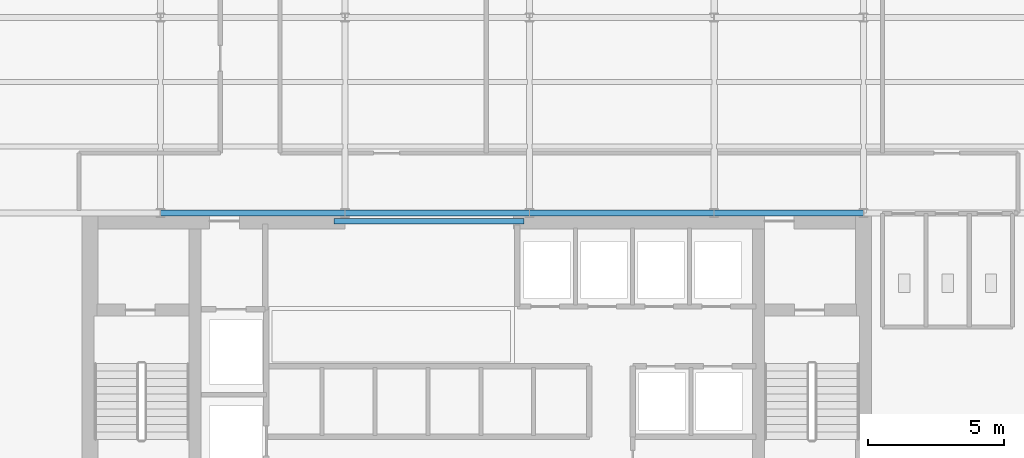
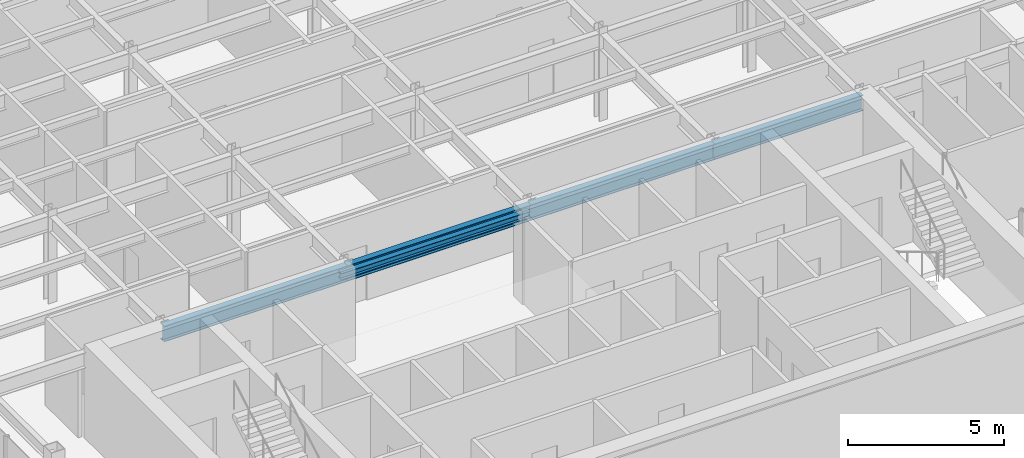
# One storey, part 4 of 21: 5 beams.
"""IFC4 building model written with IfcOpenShell, lengths in metres."""

from ifc_helpers import new_model, si_unit, derived_unit, direction, frame, origin, origin_2d, place, context, subcontext, project, spatial, i_section, extrude, source, transform, mapped, material, material_profile, profile_set, type_object, element, save


model = new_model("IFC4")

# Units and contexts
model_context = context("Model", 3, precision=1e-05, world=origin(), true_north=direction((0.0, 1.0)))
body_context = subcontext(model_context, "Body", "Model", "MODEL_VIEW")
ifc_project = project(units=[si_unit("LENGTHUNIT", "METRE"), si_unit("AREAUNIT", "SQUARE_METRE"), si_unit("VOLUMEUNIT", "CUBIC_METRE"), si_unit("PLANEANGLEUNIT", "RADIAN"), si_unit("MASSUNIT", "GRAM", prefix="KILO"), derived_unit("THERMALTRANSMITTANCEUNIT", [(si_unit("POWERUNIT", "WATT"), 1), (si_unit("LENGTHUNIT", "METRE"), -2), (si_unit("THERMODYNAMICTEMPERATUREUNIT", "KELVIN"), -1)])], contexts=[model_context])

# Site, building, storey
site_placement = place(None, origin())
site = spatial("IfcSite", under=ifc_project, at=site_placement, CompositionType="ELEMENT")
building_placement = place(site_placement, origin())
building = spatial("IfcBuilding", under=site, at=building_placement, Name="Skarnbrae Concourse Arena and Tower", CompositionType="ELEMENT")
storey_placement = place(building_placement, frame((0.0, 0.0, 188.60009765625)))
storey = spatial("IfcBuildingStorey", under=building, at=storey_placement, Name="L48", CompositionType="ELEMENT", Elevation=188.60009765625)

# Beams
ifc_material = material(Name="Steel CSA G40.21 350W", Category="steel")
ifc_material_profile_1 = material_profile(ifc_material, i_section(OverallWidth=0.202880859375, OverallDepth=0.251953125, WebThickness=0.008056640625, FlangeThickness=0.013427734375, at=origin_2d()), Name="W250X58")
ifc_profile_set_1 = profile_set([ifc_material_profile_1], Name="Steel CSA G40.21 350W")
beam_type_1 = type_object("IfcBeamType", Name="BM-LINTEL-W250X58", PredefinedType="LINTEL", material=ifc_profile_set_1)
shared_shape_1 = source(origin(), body_context, "Body", "SweptSolid", [
    extrude(i_section(OverallWidth=0.202880859375, OverallDepth=0.251953125, WebThickness=0.008056640625, FlangeThickness=0.013427734375, at=origin_2d()), origin(), (0.0, 0.0, 1.0), 7.0),
])
beam_1_placement = place(storey_placement, frame((14.0, 13.699951171875, 3.27392578125), z_axis=(1.0, 0.0, 0.0), x_axis=(0.0, 1.0, 0.0)))
element("IfcBeam", 1, at=beam_1_placement, inside=storey, type_object=beam_type_1, Name="L48 Core portal coupling lintel", PredefinedType="LINTEL", context=body_context, shape_type="MappedRepresentation", body=[
    mapped(shared_shape_1, transform((0.0, 0.0, 0.0))),
])
ifc_material_profile_2 = material_profile(ifc_material, i_section(OverallWidth=0.22802734375, OverallDepth=0.60791015625, WebThickness=0.01123046875, FlangeThickness=0.017333984375, at=origin_2d()), Name="W610X113")
ifc_profile_set_2 = profile_set([ifc_material_profile_2], Name="Steel CSA G40.21 350W")
beam_type_2 = type_object("IfcBeamType", Name="BM-GIRD-W610X113", PredefinedType="BEAM", material=ifc_profile_set_2)
shared_shape_2 = source(origin(), body_context, "Body", "SweptSolid", [
    extrude(i_section(OverallWidth=0.22802734375, OverallDepth=0.60791015625, WebThickness=0.01123046875, FlangeThickness=0.017333984375, at=origin_2d()), origin(), (0.0, 0.0, 1.0), 6.7998046875),
])
beam_2_placement = place(storey_placement, frame((7.60009765625, 14.0, 3.095947265625), z_axis=(1.0, 0.0, 0.0), x_axis=(0.0, 1.0, 0.0)))
element("IfcBeam", 2, at=beam_2_placement, inside=storey, type_object=beam_type_2, Name="L48 Primary E-W girder Y14.0-2", PredefinedType="BEAM", context=body_context, shape_type="MappedRepresentation", body=[
    mapped(shared_shape_2, transform((0.0, 0.0, 0.0))),
])
shared_shape_3 = source(origin(), body_context, "Body", "SweptSolid", [
    extrude(i_section(OverallWidth=0.22802734375, OverallDepth=0.60791015625, WebThickness=0.01123046875, FlangeThickness=0.017333984375, at=origin_2d()), origin(), (0.0, 0.0, 1.0), 6.800048828125),
])
for number, where, z_axis, x_axis, name in (
    (3, (14.39990234375, 14.0, 3.095947265625), (1.0, 0.0, 0.0), (0.0, 1.0, 0.0), "L48 Primary E-W girder Y14.0-3"),
    (4, (21.199951171875, 14.0, 3.095947265625), (1.0, 0.0, 0.0), (0.0, 1.0, 0.0), "L48 Primary E-W girder Y14.0-4"),
):
    element("IfcBeam", number, at=place(storey_placement, frame(where, z_axis=z_axis, x_axis=x_axis)), inside=storey, type_object=beam_type_2, Name=name, PredefinedType="BEAM", context=body_context, shape_type="MappedRepresentation", body=[
        mapped(shared_shape_3, transform((0.0, 0.0, 0.0))),
    ])
shared_shape_4 = source(origin(), body_context, "Body", "SweptSolid", [
    extrude(i_section(OverallWidth=0.22802734375, OverallDepth=0.60791015625, WebThickness=0.01123046875, FlangeThickness=0.017333984375, at=origin_2d()), origin(), (0.0, 0.0, 1.0), 5.5),
])
beam_3_placement = place(storey_placement, frame((28.0, 14.0, 3.095947265625), z_axis=(1.0, 0.0, 0.0), x_axis=(0.0, 1.0, 0.0)))
element("IfcBeam", 5, at=beam_3_placement, inside=storey, type_object=beam_type_2, Name="L48 Primary E-W girder Y14.0-5", PredefinedType="BEAM", context=body_context, shape_type="MappedRepresentation", body=[
    mapped(shared_shape_4, transform((0.0, 0.0, 0.0))),
])

save(model, "model.ifc")
